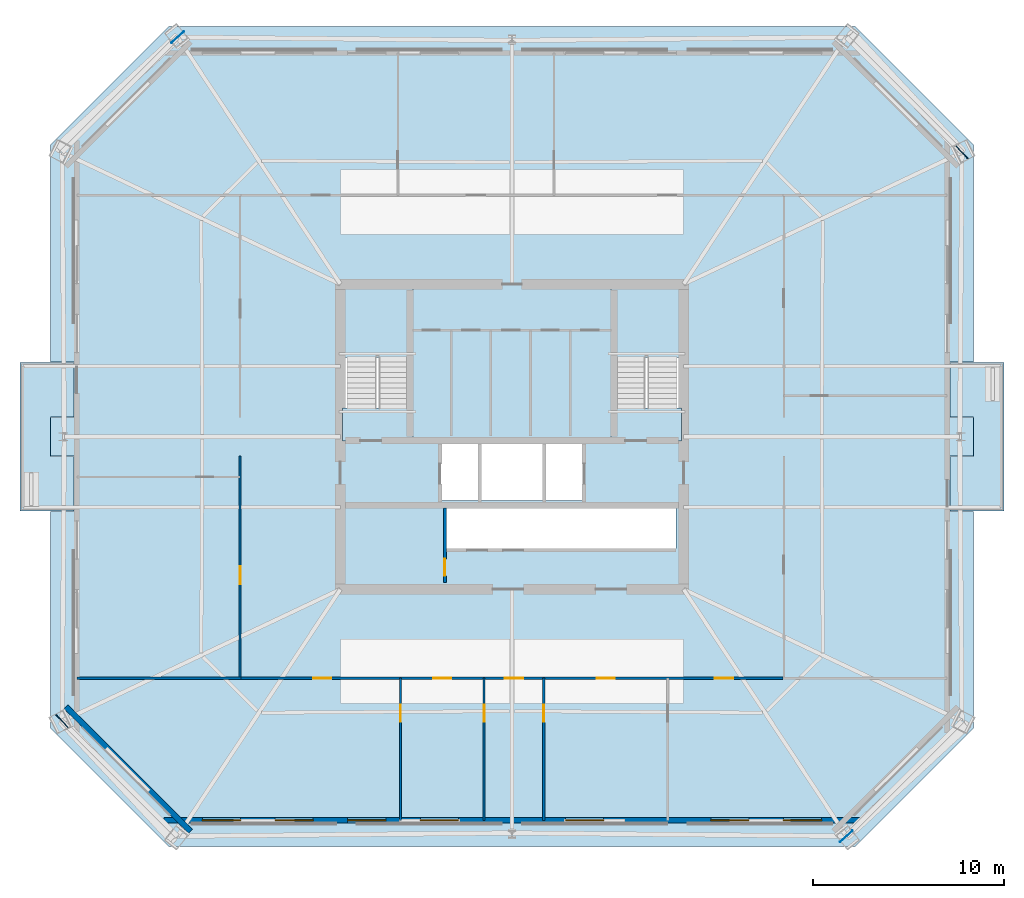
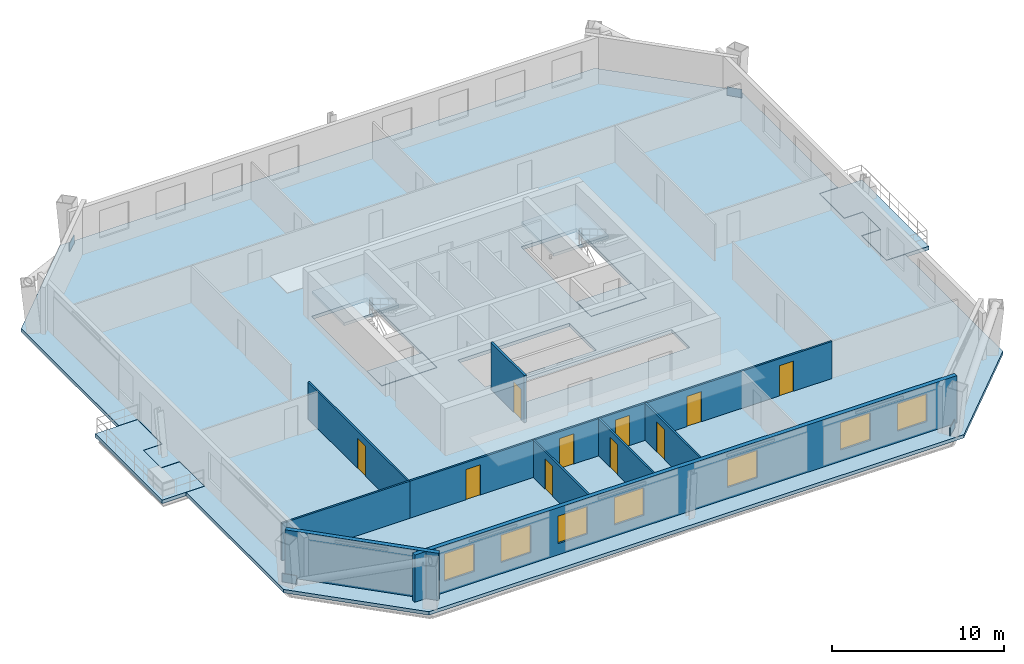
# One storey, part 2 of 8: 10 doors, 9 walls, 7 slabs, 7 windows, 4 plates, 17 openings, 2 elements without a shape of their own.
"""IFC4 building model written with IfcOpenShell, lengths in metres."""

import ifcopenshell
import ifcopenshell.guid

model = None  # the IFC model being written
_history = None  # IfcOwnerHistory: only IFC2X3 demands one
_inside = {}  # id of a spatial element -> (the spatial element, [elements in it])
_under = {}  # id of a project, library or spatial element -> (it, [spatial elements below it])
_declared = {}  # id of a project -> (the project, [libraries it declares])
_typed = {}  # id of a type object -> (the type object, [elements of that type])
_made_of = {}  # id of a material, layer set ... -> (it, [elements and type objects made of it])


def new_model(schema):
    """Start an empty IFC model of exactly this schema.

    Asked for "IFC4X3", IfcOpenShell would pick the latest addendum, in which some entities
    have other attributes; the version numbers below select the first issue.
    IFC2X3 requires an IfcOwnerHistory on every rooted entity: one is made here for all.
    """
    global model, _history
    if schema == "IFC4X3":
        model = ifcopenshell.file(schema_version=(4, 3, 0, 0))
    else:
        model = ifcopenshell.file(schema=schema)
    _inside.clear()
    _under.clear()
    _declared.clear()
    _typed.clear()
    _made_of.clear()
    _history = None
    if model.schema == "IFC2X3":
        org = make("IfcOrganization", Name="unknown")
        user = make(
            "IfcPersonAndOrganization",
            ThePerson=make("IfcPerson", FamilyName="unknown"),
            TheOrganization=org,
        )
        app = make(
            "IfcApplication",
            ApplicationDeveloper=org,
            Version="unknown",
            ApplicationFullName="unknown",
            ApplicationIdentifier="unknown",
        )
        _history = make(
            "IfcOwnerHistory",
            OwningUser=user,
            OwningApplication=app,
            ChangeAction="ADDED",
            CreationDate=0,
        )
    return model


def make(cls, **values):
    """One entity of the class cls with the attributes given. An attribute that is None is left unset."""
    return model.create_entity(
        cls, **{name: value for name, value in values.items() if value is not None}
    )


def rooted(cls, **values):
    """An entity with a GlobalId (a new one), such as an element, a storey or a relation."""
    return make(cls, GlobalId=ifcopenshell.guid.new(), OwnerHistory=_history, **values)


def si_unit(unit_type, name, prefix=None):
    """IfcSIUnit, for example si_unit("LENGTHUNIT", "METRE", prefix="MILLI")."""
    return make("IfcSIUnit", UnitType=unit_type, Prefix=prefix, Name=name)


def assignment(units):
    """IfcUnitAssignment: the units of a project."""
    return None if units is None else make("IfcUnitAssignment", Units=units)


def point(xyz):
    """IfcCartesianPoint."""
    return None if xyz is None else make("IfcCartesianPoint", Coordinates=xyz)


def direction(xyz):
    """IfcDirection."""
    return None if xyz is None else make("IfcDirection", DirectionRatios=xyz)


def frame(location, z_axis=None, x_axis=None):
    """IfcAxis2Placement3D, a coordinate frame: its origin and axes. An axis left out is left unset."""
    return make(
        "IfcAxis2Placement3D",
        Location=point(location),
        Axis=direction(z_axis),
        RefDirection=direction(x_axis),
    )


def frame_2d(location, x_axis=None):
    """IfcAxis2Placement2D, a coordinate frame in the plane: its origin and x axis."""
    return make(
        "IfcAxis2Placement2D", Location=point(location), RefDirection=direction(x_axis)
    )


def origin():
    """The frame at (0, 0, 0) with its axes left unset."""
    return frame((0.0, 0.0, 0.0))


def origin_2d():
    """The frame at (0, 0) in the plane with its x axis left unset."""
    return frame_2d((0.0, 0.0))


def place(relative_to, where):
    """IfcLocalPlacement: puts the frame where relative to a parent placement (None: the world)."""
    return make(
        "IfcLocalPlacement", PlacementRelTo=relative_to, RelativePlacement=where
    )


def context(
    kind, dimensions, precision=None, world=None, true_north=None, identifier=None
):
    """IfcGeometricRepresentationContext, for example the 3D "Model" context."""
    return make(
        "IfcGeometricRepresentationContext",
        ContextIdentifier=identifier,
        ContextType=kind,
        CoordinateSpaceDimension=dimensions,
        Precision=precision,
        WorldCoordinateSystem=world,
        TrueNorth=true_north,
    )


def subcontext(parent, identifier, kind, view, scale=None):
    """IfcGeometricRepresentationSubContext, for example "Body" below "Model"."""
    return make(
        "IfcGeometricRepresentationSubContext",
        ContextIdentifier=identifier,
        ContextType=kind,
        ParentContext=parent,
        TargetScale=scale,
        TargetView=view,
    )


def project(units=None, contexts=None):
    """IfcProject with its units and contexts."""
    return rooted(
        "IfcProject",
        Name="project",
        RepresentationContexts=contexts,
        UnitsInContext=assignment(units),
    )


def spatial(cls, under=None, at=None, **own):
    """A site, building, storey or space (cls), placed at a placement, below another one or the project."""
    s = rooted(cls, ObjectPlacement=at, **own)
    if under is not None:
        _under.setdefault(under.id(), (under, []))[1].append(s)
    return s


def polyline(points):
    """IfcPolyline through the points."""
    return make("IfcPolyline", Points=[point(p) for p in points])


def profile(cls, at=None, kind="AREA", **sizes):
    """A parametric profile (cls). Its sizes go by their IFC names, for example OverallWidth=200.0."""
    return make(cls, ProfileType=kind, Position=at, **sizes)


def rectangle(**sizes):
    """IfcRectangleProfileDef."""
    return profile("IfcRectangleProfileDef", **sizes)


def outline(outer, holes=None, kind="AREA"):
    """IfcArbitraryClosedProfileDef: a profile drawn as a closed curve; with holes, ...WithVoids."""
    if holes is None:
        return make("IfcArbitraryClosedProfileDef", ProfileType=kind, OuterCurve=outer)
    return make(
        "IfcArbitraryProfileDefWithVoids",
        ProfileType=kind,
        OuterCurve=outer,
        InnerCurves=holes,
    )


def extrude(swept, where, along, depth):
    """IfcExtrudedAreaSolid: the profile swept, set in the frame where, extruded along a direction by depth."""
    return make(
        "IfcExtrudedAreaSolid",
        SweptArea=swept,
        Position=where,
        ExtrudedDirection=direction(along),
        Depth=depth,
    )


def shape(context_of_items, identifier, shape_type, items):
    """IfcShapeRepresentation: the items that make up one representation, for example the "Body"."""
    return make(
        "IfcShapeRepresentation",
        ContextOfItems=context_of_items,
        RepresentationIdentifier=identifier,
        RepresentationType=shape_type,
        Items=items,
    )


def material(Name=None, Category=None):
    """IfcMaterial."""
    return make("IfcMaterial", Name=Name, Category=Category)


def layer(
    of_material, thickness, ventilated=None, Name=None, Category=None, Priority=None
):
    """IfcMaterialLayer: one layer of a wall or slab, of a material (None: an air gap)."""
    return make(
        "IfcMaterialLayer",
        Material=of_material,
        LayerThickness=thickness,
        IsVentilated=ventilated,
        Name=Name,
        Category=Category,
        Priority=Priority,
    )


def layer_set(layers, Name=None):
    """IfcMaterialLayerSet."""
    return make("IfcMaterialLayerSet", MaterialLayers=layers, LayerSetName=Name)


def made_of(thing, what):
    """Note that an element or type object is made of a material, layer set ...; save() writes the relation."""
    if what is not None:
        _made_of.setdefault(what.id(), (what, []))[1].append(thing)
    return thing


def type_object(cls, material=None, **own):
    """A type object (cls), such as IfcWallType, which elements share."""
    return made_of(rooted(cls, **own), material)


def element(
    cls,
    number,
    at=None,
    inside=None,
    cuts=None,
    type_object=None,
    material=None,
    context=None,
    identifier="Body",
    shape_type=None,
    held_by="IfcProductDefinitionShape",
    body=None,
    shapes=None,
    **own,
):
    """One element of the class cls, such as IfcWall. Its Tag is "e" and its number.

    at: its placement. inside: the storey or other place that contains it. cuts: it is an
    opening in that element (IfcRelVoidsElement). A single representation is given by context,
    identifier, shape_type and body (its items); several are given by shapes. held_by: the class
    of the entity that holds the representations. save() writes the other relations.
    """
    e = rooted(cls, Tag="e%d" % number, ObjectPlacement=at, **own)
    if body is not None:
        shapes = [shape(context, identifier, shape_type, body)]
    if shapes is not None:
        e.Representation = make(held_by, Representations=shapes)
    if inside is not None:
        _inside.setdefault(inside.id(), (inside, []))[1].append(e)
    if cuts is not None:
        rooted(
            "IfcRelVoidsElement", RelatingBuildingElement=cuts, RelatedOpeningElement=e
        )
    if type_object is not None:
        _typed.setdefault(type_object.id(), (type_object, []))[1].append(e)
    return made_of(e, material)


def fill(opening, filler):
    """IfcRelFillsElement: the door or window that sits in an opening."""
    return rooted(
        "IfcRelFillsElement",
        RelatingOpeningElement=opening,
        RelatedBuildingElement=filler,
    )


def aggregate(whole, parts):
    """IfcRelAggregates: a whole, such as a stair, and the parts it consists of."""
    return rooted("IfcRelAggregates", RelatingObject=whole, RelatedObjects=parts)


def save(model, path):
    """Write the relations noted so far, then the file.

    IfcRelAggregates (storeys below a building ...), IfcRelContainedInSpatialStructure (elements
    in a storey), IfcRelDefinesByType, IfcRelAssociatesMaterial and IfcRelDeclares: one each for
    every whole, place, type object, material and project.
    """
    for whole, parts in _under.values():
        aggregate(whole, parts)
    for where, things in _inside.values():
        rooted(
            "IfcRelContainedInSpatialStructure",
            RelatedElements=things,
            RelatingStructure=where,
        )
    for kind, things in _typed.values():
        rooted("IfcRelDefinesByType", RelatedObjects=things, RelatingType=kind)
    for what, things in _made_of.values():
        rooted("IfcRelAssociatesMaterial", RelatedObjects=things, RelatingMaterial=what)
    for by, libraries in _declared.values():
        rooted("IfcRelDeclares", RelatingContext=by, RelatedDefinitions=libraries)
    model.write(path)


model = new_model("IFC4")

# Units and contexts
model_context = context("Model", 3, precision=1e-05, world=origin(), true_north=direction((0.0, 1.0)))
body_context = subcontext(model_context, "Body", "Model", "MODEL_VIEW")
ifc_project = project(units=[si_unit("LENGTHUNIT", "METRE"), si_unit("AREAUNIT", "SQUARE_METRE"), si_unit("VOLUMEUNIT", "CUBIC_METRE"), si_unit("PLANEANGLEUNIT", "RADIAN"), si_unit("MASSUNIT", "GRAM", prefix="KILO")], contexts=[model_context])

# Site, building, storey
site_placement = place(None, origin())
site = spatial("IfcSite", under=ifc_project, at=site_placement, CompositionType="ELEMENT")
building_placement = place(site_placement, origin())
building = spatial("IfcBuilding", under=site, at=building_placement, Name="Caelvoria Tower", CompositionType="ELEMENT")
storey_placement = place(building_placement, frame((0.0, 0.0, 145.60009765625)))
storey = spatial("IfcBuildingStorey", under=building, at=storey_placement, Name="L38", CompositionType="ELEMENT", Elevation=145.60009765625)

# Plates
ifc_material_1 = material(Name="Structural Steel ASTM A572 Gr.50", Category="steel")
ifc_layer_1 = layer(ifc_material_1, 0.0400390625, Name="Structural Steel ASTM A572 Gr.50")
ifc_layer_set_1 = layer_set([ifc_layer_1], Name="Megaframe Node Gusset Plate 900x600x40 - Structural Steel ASTM A572 Gr.50")
plate_type = type_object("IfcPlateType", Name="Megaframe Node Gusset Plate 900x600x40", PredefinedType="USERDEFINED", material=ifc_layer_set_1)
for number, where, z_axis, x_axis, name in (
    (1, (63.537841796875, 11.052001953125, 0.019775390625), (0.0, 0.0, 1.0), (0.733795082805, 0.67937086812, 0.0), "Chamfer Mega Brace Gusset L38 SE"),
    (2, (69.59130859375, 46.915283203125, 0.019775390625), (0.0, 0.0, 1.0), (-0.681679181899, 0.731651209912, 0.0), "Chamfer Mega Brace Gusset L38 NE"),
    (3, (28.462158203125, 52.947998046875, 0.019775390625), (0.0, 0.0, 1.0), (-0.733795082805, -0.67937086812, 0.0), "Chamfer Mega Brace Gusset L38 NW"),
    (4, (22.40869140625, 17.084716796875, 0.019775390625), (0.0, 0.0, 1.0), (0.681679181899, -0.731651209912, 0.0), "Chamfer Mega Brace Gusset L38 SW"),
):
    element("IfcPlate", number, at=place(storey_placement, frame(where, z_axis=z_axis, x_axis=x_axis)), inside=storey, type_object=plate_type, Name=name, ObjectType="GUSSET_PLATE", PredefinedType="USERDEFINED", context=body_context, shape_type="SweptSolid", body=[
        extrude(rectangle(XDim=0.89990234375, YDim=0.0400390625, at=origin_2d()), origin(), (0.0, 0.0, 1.0), 0.60009765625),
    ])

# Stair, slabs
ifc_material_2 = material(Name="Concrete C40/50", Category="concrete")
stair_type = type_object("IfcStairType", Name="Core Smokeproof Dogleg Stair Concrete C40/50", PredefinedType="HALF_TURN_STAIR", material=ifc_material_2)
stair_1_placement = place(storey_placement, origin())
stair_1 = element("IfcStair", 5, at=stair_1_placement, inside=storey, type_object=stair_type, Name="ST-01 Smokeproof Exit Stair L38", PredefinedType="HALF_TURN_STAIR")
ifc_layer_2 = layer(ifc_material_2, 0.199951171875, Name="Concrete C40/50")
ifc_layer_set_2 = layer_set([ifc_layer_2], Name="Stair Half and Floor Landing Slab 200 Concrete C40/50 - Concrete C40/50")
slab_type_1 = type_object("IfcSlabType", Name="Stair Half and Floor Landing Slab 200 Concrete C40/50", PredefinedType="LANDING", material=ifc_layer_set_2)
slab_1_placement = place(storey_placement, frame((0.0, 0.0, -0.2001953125)))
slab_1 = element("IfcSlab", 6, at=slab_1_placement, type_object=slab_type_1, Name="ST-01 landing 1", PredefinedType="LANDING", context=body_context, shape_type="SweptSolid", body=[
    extrude(outline(polyline([(37.10009765625, 31.77001953125), (40.800048828125, 31.77001953125), (40.800048828125, 33.5), (37.10009765625, 33.5), (37.10009765625, 31.77001953125)])), origin(), (0.0, 0.0, 1.0), 0.2001953125),
])
slab_2_placement = place(storey_placement, frame((0.0, 0.0, 1.599853515625)))
slab_2 = element("IfcSlab", 7, at=slab_2_placement, type_object=slab_type_1, Name="ST-01 landing 2", PredefinedType="LANDING", context=body_context, shape_type="SweptSolid", body=[
    extrude(outline(polyline([(37.10009765625, 36.14990234375), (40.800048828125, 36.14990234375), (40.800048828125, 39.89990234375), (37.10009765625, 39.89990234375), (37.10009765625, 36.14990234375)])), origin(), (0.0, 0.0, 1.0), 0.199951171875),
])
aggregate(stair_1, [slab_1, slab_2])

stair_2_placement = place(storey_placement, origin())
stair_2 = element("IfcStair", 8, at=stair_2_placement, inside=storey, type_object=stair_type, Name="ST-02 Smokeproof Exit Stair L38", PredefinedType="HALF_TURN_STAIR")
slab_3_placement = place(storey_placement, frame((0.0, 0.0, -0.2001953125)))
slab_3 = element("IfcSlab", 9, at=slab_3_placement, type_object=slab_type_1, Name="ST-02 landing 1", PredefinedType="LANDING", context=body_context, shape_type="SweptSolid", body=[
    extrude(outline(polyline([(51.199951171875, 31.77001953125), (54.89990234375, 31.77001953125), (54.89990234375, 33.5), (51.199951171875, 33.5), (51.199951171875, 31.77001953125)])), origin(), (0.0, 0.0, 1.0), 0.2001953125),
])
slab_4_placement = place(storey_placement, frame((0.0, 0.0, 1.599853515625)))
slab_4 = element("IfcSlab", 10, at=slab_4_placement, type_object=slab_type_1, Name="ST-02 landing 2", PredefinedType="LANDING", context=body_context, shape_type="SweptSolid", body=[
    extrude(outline(polyline([(51.199951171875, 36.14990234375), (54.89990234375, 36.14990234375), (54.89990234375, 39.89990234375), (51.199951171875, 39.89990234375), (51.199951171875, 36.14990234375)])), origin(), (0.0, 0.0, 1.0), 0.199951171875),
])
aggregate(stair_2, [slab_3, slab_4])

# Slabs
ifc_layer_3 = layer(ifc_material_2, 0.239990234375, Name="Concrete C40/50")
ifc_layer_set_3 = layer_set([ifc_layer_3], Name="Tower Composite Office Slab 240 - Concrete C40/50")
slab_type_2 = type_object("IfcSlabType", Name="Tower Composite Office Slab 240", PredefinedType="FLOOR", material=ifc_layer_set_3)
slab_5_placement = place(storey_placement, frame((0.0, 0.0, -0.239990234375)))
element("IfcSlab", 11, at=slab_5_placement, inside=storey, type_object=slab_type_2, Name="Level L38 Structural Floor Slab", PredefinedType="FLOOR", context=body_context, shape_type="SweptSolid", body=[
    extrude(outline(polyline([(64.0, 53.5), (28.0, 53.5), (21.800048828125, 47.300048828125), (21.800048828125, 35.919921875), (23.06005859375, 35.919921875), (23.06005859375, 33.02001953125), (21.800048828125, 33.02001953125), (21.800048828125, 30.97998046875), (23.06005859375, 30.97998046875), (23.06005859375, 28.080078125), (21.800048828125, 28.080078125), (21.800048828125, 16.699951171875), (28.0, 10.5), (64.0, 10.5), (70.199951171875, 16.699951171875), (70.199951171875, 28.080078125), (68.93994140625, 28.080078125), (68.93994140625, 30.97998046875), (70.199951171875, 30.97998046875), (70.199951171875, 33.02001953125), (68.93994140625, 33.02001953125), (68.93994140625, 35.919921875), (70.199951171875, 35.919921875), (70.199951171875, 47.300048828125), (64.0, 53.5)]), holes=[polyline([(37.080078125, 31.75), (40.820068359375, 31.75), (40.820068359375, 39.919921875), (37.080078125, 39.919921875), (37.080078125, 31.75)]), polyline([(51.179931640625, 31.75), (54.919921875, 31.75), (54.919921875, 39.919921875), (51.179931640625, 39.919921875), (51.179931640625, 31.75)]), polyline([(42.25, 28.64990234375), (49.75, 28.64990234375), (49.75, 31.800048828125), (42.25, 31.800048828125), (42.25, 28.64990234375)]), polyline([(42.550048828125, 26.14990234375), (54.60009765625, 26.14990234375), (54.60009765625, 28.25), (42.550048828125, 28.25), (42.550048828125, 26.14990234375)])]), origin(), (0.0, 0.0, 1.0), 0.239990234375),
])
ifc_material_3 = material(Name="Concrete C45/55", Category="concrete")
ifc_layer_4 = layer(ifc_material_3, 0.25, Name="Concrete C45/55")
ifc_layer_set_4 = layer_set([ifc_layer_4], Name="Tree Balcony Structural Planter Slab 250 - Concrete C45/55")
slab_type_3 = type_object("IfcSlabType", Name="Tree Balcony Structural Planter Slab 250", PredefinedType="FLOOR", material=ifc_layer_set_4)
slab_6_placement = place(storey_placement, frame((0.0, 0.0, -0.25)))
element("IfcSlab", 12, at=slab_6_placement, inside=storey, type_object=slab_type_3, Name="Tree Balcony Slab TB-L38-W", PredefinedType="FLOOR", context=body_context, shape_type="SweptSolid", body=[
    extrude(outline(polyline([(20.199951171875, 28.10009765625), (21.800048828125, 28.10009765625), (23.0400390625, 28.10009765625), (23.0400390625, 30.9599609375), (21.800048828125, 30.9599609375), (21.800048828125, 33.0400390625), (23.0400390625, 33.0400390625), (23.0400390625, 35.89990234375), (21.800048828125, 35.89990234375), (20.199951171875, 35.89990234375), (20.199951171875, 28.10009765625)])), origin(), (0.0, 0.0, 1.0), 0.25),
])
slab_7_placement = place(storey_placement, frame((0.0, 0.0, -0.25)))
element("IfcSlab", 13, at=slab_7_placement, inside=storey, type_object=slab_type_3, Name="Tree Balcony Slab TB-L38-E", PredefinedType="FLOOR", context=body_context, shape_type="SweptSolid", body=[
    extrude(outline(polyline([(70.199951171875, 35.89990234375), (68.9599609375, 35.89990234375), (68.9599609375, 33.0400390625), (70.199951171875, 33.0400390625), (70.199951171875, 30.9599609375), (68.9599609375, 30.9599609375), (68.9599609375, 28.10009765625), (70.199951171875, 28.10009765625), (71.800048828125, 28.10009765625), (71.800048828125, 35.89990234375), (70.199951171875, 35.89990234375)])), origin(), (0.0, 0.0, 1.0), 0.25),
])

# Wall, opening, door
ifc_material_4 = material(Name="Double Gypsum Board on Steel Stud", Category="steel")
ifc_layer_5 = layer(ifc_material_4, 0.14990234375, Name="Double Gypsum Board on Steel Stud")
ifc_layer_set_5 = layer_set([ifc_layer_5], Name="Core Service Acoustic Partition Wall 150 - Double Gypsum Board on Steel Stud")
wall_type_1 = type_object("IfcWallType", Name="Core Service Acoustic Partition Wall 150", PredefinedType="PARTITIONING", material=ifc_layer_set_5)
wall_1_placement = place(storey_placement, frame((42.47998046875, 24.35009765625, 0.0), z_axis=(0.0, 0.0, 1.0), x_axis=(0.0, 1.0, 0.0)))
wall_1 = element("IfcWall", 14, at=wall_1_placement, inside=storey, type_object=wall_type_1, Name="Interior Partition IW-L38-RECL1E", PredefinedType="PARTITIONING", context=body_context, shape_type="SweptSolid", body=[
    extrude(rectangle(XDim=3.89990234375, YDim=0.14990234375, at=frame_2d((1.949951171875, 0.0))), origin(), (0.0, 0.0, 1.0), 3.35986328125),
])
opening_1_placement = place(wall_1_placement, frame((0.35009765625, 0.0, 0.0)))
opening_1 = element("IfcOpeningElement", 15, at=opening_1_placement, cuts=wall_1, Name="Opening ID-04", PredefinedType="OPENING", context=body_context, shape_type="SweptSolid", body=[
    extrude(rectangle(XDim=0.89990234375, YDim=2.14990234375, at=frame_2d((0.449951171875, 1.074951171875))), frame((0.0, 0.0849609375, 0.0), z_axis=(0.0, -1.0, 0.0), x_axis=(1.0, 0.0, 0.0)), (0.0, 0.0, 1.0), 0.169921875),
])
ifc_material_5 = material(Name="Acoustic Timber Fire Door", Category="wood")
door_type_1 = type_object("IfcDoorType", Name="Fire Door FD30S 900x2150", OperationType="NOTDEFINED", PredefinedType="DOOR", material=ifc_material_5)
door_1_placement = place(opening_1_placement, origin())
door_1 = element("IfcDoor", 16, at=door_1_placement, inside=storey, type_object=door_type_1, Name="Interior Door DR-L38-RECL1", OperationType="SINGLE_SWING_LEFT", OverallHeight=2.14990234375, OverallWidth=0.89990234375, PredefinedType="DOOR", context=body_context, shape_type="SweptSolid", body=[
    extrude(rectangle(XDim=0.89990234375, YDim=2.14990234375, at=frame_2d((0.449951171875, 1.074951171875))), frame((0.0, 0.02490234375, 0.0), z_axis=(0.0, -1.0, 0.0), x_axis=(1.0, 0.0, 0.0)), (0.0, 0.0, 1.0), 0.050048828125),
])
fill(opening_1, door_1)

# Wall, openings, windows
ifc_material_6 = material(Name="Precast Concrete C40/50 with Bronze Cladding", Category="concrete")
ifc_layer_6 = layer(ifc_material_6, 0.280029296875, Name="Precast Concrete C40/50 with Bronze Cladding")
ifc_layer_set_6 = layer_set([ifc_layer_6], Name="Exterior Precast Concrete C40/50 Bronze-Clad Facade Wall 280 - Precast Concrete C40/50 with Bronze Cladding")
wall_type_2 = type_object("IfcWallType", Name="Exterior Precast Concrete C40/50 Bronze-Clad Facade Wall 280", PredefinedType="STANDARD", material=ifc_layer_set_6)
wall_2_placement = place(storey_placement, frame((27.760009765625, 11.8798828125, 0.0), z_axis=(0.0, 0.0, 1.0), x_axis=(1.0, 0.0, 0.0)))
wall_2 = element("IfcWall", 17, at=wall_2_placement, inside=storey, type_object=wall_type_2, Name="Exterior Facade Wall L38-E0", PredefinedType="STANDARD", context=body_context, shape_type="SweptSolid", body=[
    extrude(rectangle(XDim=36.47998046875, YDim=0.280029296875, at=frame_2d((18.239990234375, 0.0))), origin(), (0.0, 0.0, 1.0), 3.35986328125),
])
opening_2_placement = place(wall_2_placement, frame((2.00439453125, 0.0, 0.800048828125)))
opening_2 = element("IfcOpeningElement", 18, at=opening_2_placement, cuts=wall_2, Name="Opening WN-01", PredefinedType="OPENING", context=body_context, shape_type="SweptSolid", body=[
    extrude(rectangle(XDim=2.0, YDim=1.949951171875, at=frame_2d((1.0, 0.97509765625))), frame((0.0, 0.14990234375, 0.0), z_axis=(0.0, -1.0, 0.0), x_axis=(1.0, 0.0, 0.0)), (0.0, 0.0, 1.0), 0.300048828125),
])
opening_3_placement = place(wall_2_placement, frame((5.813232421875, 0.0, 0.800048828125)))
opening_3 = element("IfcOpeningElement", 19, at=opening_3_placement, cuts=wall_2, Name="Opening WN-01", PredefinedType="OPENING", context=body_context, shape_type="SweptSolid", body=[
    extrude(rectangle(XDim=2.0, YDim=1.949951171875, at=frame_2d((1.0, 0.97509765625))), frame((0.0, 0.14990234375, 0.0), z_axis=(0.0, -1.0, 0.0), x_axis=(1.0, 0.0, 0.0)), (0.0, 0.0, 1.0), 0.300048828125),
])
opening_4_placement = place(wall_2_placement, frame((9.622314453125, 0.0, 0.800048828125)))
opening_4 = element("IfcOpeningElement", 20, at=opening_4_placement, cuts=wall_2, Name="Opening WN-01", PredefinedType="OPENING", context=body_context, shape_type="SweptSolid", body=[
    extrude(rectangle(XDim=2.0, YDim=1.949951171875, at=frame_2d((1.0, 0.97509765625))), frame((0.0, 0.14990234375, 0.0), z_axis=(0.0, -1.0, 0.0), x_axis=(1.0, 0.0, 0.0)), (0.0, 0.0, 1.0), 0.300048828125),
])
opening_5_placement = place(wall_2_placement, frame((13.43115234375, 0.0, 0.800048828125)))
opening_5 = element("IfcOpeningElement", 21, at=opening_5_placement, cuts=wall_2, Name="Opening WN-01", PredefinedType="OPENING", context=body_context, shape_type="SweptSolid", body=[
    extrude(rectangle(XDim=2.0, YDim=1.949951171875, at=frame_2d((1.0, 0.97509765625))), frame((0.0, 0.14990234375, 0.0), z_axis=(0.0, -1.0, 0.0), x_axis=(1.0, 0.0, 0.0)), (0.0, 0.0, 1.0), 0.300048828125),
])
opening_6_placement = place(wall_2_placement, frame((21.048828125, 0.0, 0.800048828125)))
opening_6 = element("IfcOpeningElement", 22, at=opening_6_placement, cuts=wall_2, Name="Opening WN-01", PredefinedType="OPENING", context=body_context, shape_type="SweptSolid", body=[
    extrude(rectangle(XDim=2.0, YDim=1.949951171875, at=frame_2d((1.0, 0.97509765625))), frame((0.0, 0.14990234375, 0.0), z_axis=(0.0, -1.0, 0.0), x_axis=(1.0, 0.0, 0.0)), (0.0, 0.0, 1.0), 0.300048828125),
])
opening_7_placement = place(wall_2_placement, frame((28.666748046875, 0.0, 0.800048828125)))
opening_7 = element("IfcOpeningElement", 23, at=opening_7_placement, cuts=wall_2, Name="Opening WN-01", PredefinedType="OPENING", context=body_context, shape_type="SweptSolid", body=[
    extrude(rectangle(XDim=2.0, YDim=1.949951171875, at=frame_2d((1.0, 0.97509765625))), frame((0.0, 0.14990234375, 0.0), z_axis=(0.0, -1.0, 0.0), x_axis=(1.0, 0.0, 0.0)), (0.0, 0.0, 1.0), 0.300048828125),
])
opening_8_placement = place(wall_2_placement, frame((32.4755859375, 0.0, 0.800048828125)))
opening_8 = element("IfcOpeningElement", 24, at=opening_8_placement, cuts=wall_2, Name="Opening WN-01", PredefinedType="OPENING", context=body_context, shape_type="SweptSolid", body=[
    extrude(rectangle(XDim=2.0, YDim=1.949951171875, at=frame_2d((1.0, 0.97509765625))), frame((0.0, 0.14990234375, 0.0), z_axis=(0.0, -1.0, 0.0), x_axis=(1.0, 0.0, 0.0)), (0.0, 0.0, 1.0), 0.300048828125),
])
ifc_material_7 = material(Name="Low-E Tinted Glass in Bronze Aluminium Frame", Category="aluminium")
window_type = type_object("IfcWindowType", Name="Tower Office Vision Window 2000x1950", PartitioningType="SINGLE_PANEL", PredefinedType="WINDOW", material=ifc_material_7)
window_1_placement = place(opening_2_placement, origin())
window_1 = element("IfcWindow", 25, at=window_1_placement, inside=storey, type_object=window_type, Name="Facade Window L38-E0-00", OverallHeight=1.949951171875, OverallWidth=2.0, PartitioningType="SINGLE_PANEL", PredefinedType="WINDOW", context=body_context, shape_type="SweptSolid", body=[
    extrude(rectangle(XDim=2.0, YDim=1.949951171875, at=frame_2d((1.0, 0.97509765625))), frame((0.0, 0.030029296875, 0.0), z_axis=(0.0, -1.0, 0.0), x_axis=(1.0, 0.0, 0.0)), (0.0, 0.0, 1.0), 0.06005859375),
])
fill(opening_2, window_1)
window_2_placement = place(opening_3_placement, origin())
window_2 = element("IfcWindow", 26, at=window_2_placement, inside=storey, type_object=window_type, Name="Facade Window L38-E0-01", OverallHeight=1.949951171875, OverallWidth=2.0, PartitioningType="SINGLE_PANEL", PredefinedType="WINDOW", context=body_context, shape_type="SweptSolid", body=[
    extrude(rectangle(XDim=2.0, YDim=1.949951171875, at=frame_2d((1.0, 0.97509765625))), frame((0.0, 0.030029296875, 0.0), z_axis=(0.0, -1.0, 0.0), x_axis=(1.0, 0.0, 0.0)), (0.0, 0.0, 1.0), 0.06005859375),
])
fill(opening_3, window_2)
window_3_placement = place(opening_4_placement, origin())
window_3 = element("IfcWindow", 27, at=window_3_placement, inside=storey, type_object=window_type, Name="Facade Window L38-E0-02", OverallHeight=1.949951171875, OverallWidth=2.0, PartitioningType="SINGLE_PANEL", PredefinedType="WINDOW", context=body_context, shape_type="SweptSolid", body=[
    extrude(rectangle(XDim=2.0, YDim=1.949951171875, at=frame_2d((1.0, 0.97509765625))), frame((0.0, 0.030029296875, 0.0), z_axis=(0.0, -1.0, 0.0), x_axis=(1.0, 0.0, 0.0)), (0.0, 0.0, 1.0), 0.06005859375),
])
fill(opening_4, window_3)
window_4_placement = place(opening_5_placement, origin())
window_4 = element("IfcWindow", 28, at=window_4_placement, inside=storey, type_object=window_type, Name="Facade Window L38-E0-03", OverallHeight=1.949951171875, OverallWidth=2.0, PartitioningType="SINGLE_PANEL", PredefinedType="WINDOW", context=body_context, shape_type="SweptSolid", body=[
    extrude(rectangle(XDim=2.0, YDim=1.949951171875, at=frame_2d((1.0, 0.97509765625))), frame((0.0, 0.030029296875, 0.0), z_axis=(0.0, -1.0, 0.0), x_axis=(1.0, 0.0, 0.0)), (0.0, 0.0, 1.0), 0.06005859375),
])
fill(opening_5, window_4)
window_5_placement = place(opening_6_placement, origin())
window_5 = element("IfcWindow", 29, at=window_5_placement, inside=storey, type_object=window_type, Name="Facade Window L38-E0-05", OverallHeight=1.949951171875, OverallWidth=2.0, PartitioningType="SINGLE_PANEL", PredefinedType="WINDOW", context=body_context, shape_type="SweptSolid", body=[
    extrude(rectangle(XDim=2.0, YDim=1.949951171875, at=frame_2d((1.0, 0.97509765625))), frame((0.0, 0.030029296875, 0.0), z_axis=(0.0, -1.0, 0.0), x_axis=(1.0, 0.0, 0.0)), (0.0, 0.0, 1.0), 0.06005859375),
])
fill(opening_6, window_5)
window_6_placement = place(opening_7_placement, origin())
window_6 = element("IfcWindow", 30, at=window_6_placement, inside=storey, type_object=window_type, Name="Facade Window L38-E0-07", OverallHeight=1.949951171875, OverallWidth=2.0, PartitioningType="SINGLE_PANEL", PredefinedType="WINDOW", context=body_context, shape_type="SweptSolid", body=[
    extrude(rectangle(XDim=2.0, YDim=1.949951171875, at=frame_2d((1.0, 0.97509765625))), frame((0.0, 0.030029296875, 0.0), z_axis=(0.0, -1.0, 0.0), x_axis=(1.0, 0.0, 0.0)), (0.0, 0.0, 1.0), 0.06005859375),
])
fill(opening_7, window_6)
window_7_placement = place(opening_8_placement, origin())
window_7 = element("IfcWindow", 31, at=window_7_placement, inside=storey, type_object=window_type, Name="Facade Window L38-E0-08", OverallHeight=1.949951171875, OverallWidth=2.0, PartitioningType="SINGLE_PANEL", PredefinedType="WINDOW", context=body_context, shape_type="SweptSolid", body=[
    extrude(rectangle(XDim=2.0, YDim=1.949951171875, at=frame_2d((1.0, 0.97509765625))), frame((0.0, 0.030029296875, 0.0), z_axis=(0.0, -1.0, 0.0), x_axis=(1.0, 0.0, 0.0)), (0.0, 0.0, 1.0), 0.06005859375),
])
fill(opening_8, window_7)

# Wall
wall_3_placement = place(storey_placement, frame((22.606201171875, 17.845458984375, 0.0), z_axis=(0.0, 0.0, 1.0), x_axis=(0.707106781187, -0.707106781187, 0.0)))
element("IfcWall", 32, at=wall_3_placement, inside=storey, type_object=wall_type_2, Name="Exterior Facade Wall L38-E7", PredefinedType="STANDARD", context=body_context, shape_type="SweptSolid", body=[
    extrude(rectangle(XDim=9.248046875, YDim=0.280029296875, at=frame_2d((4.6240234375, 0.0))), origin(), (0.0, 0.0, 1.0), 3.35986328125),
])

# Wall, opening, door
ifc_material_8 = material(Name="Acoustic Gypsum Board on Light-Gauge Stud", Category="gypsum")
ifc_layer_7 = layer(ifc_material_8, 0.1201171875, Name="Acoustic Gypsum Board on Light-Gauge Stud")
ifc_layer_set_7 = layer_set([ifc_layer_7], Name="Tenant Suite Acoustic Partition Wall 120 - Acoustic Gypsum Board on Light-Gauge Stud")
wall_type_3 = type_object("IfcWallType", Name="Tenant Suite Acoustic Partition Wall 120", PredefinedType="PARTITIONING", material=ifc_layer_set_7)
wall_4_placement = place(storey_placement, frame((40.15234375, 19.340087890625, 0.0), z_axis=(0.0, 0.0, 1.0), x_axis=(0.0, -1.0, 0.0)))
wall_4 = element("IfcWall", 33, at=wall_4_placement, inside=storey, type_object=wall_type_3, Name="Interior Partition IW-L38-SD-00-0", PredefinedType="PARTITIONING", context=body_context, shape_type="SweptSolid", body=[
    extrude(rectangle(XDim=7.460205078125, YDim=0.1201171875, at=frame_2d((3.72998046875, 0.0))), origin(), (0.0, 0.0, 1.0), 2.639892578125),
])
opening_9_placement = place(wall_4_placement, frame((1.39990234375, 0.0, 0.0)))
opening_9 = element("IfcOpeningElement", 34, at=opening_9_placement, cuts=wall_4, Name="Opening ID-06", PredefinedType="OPENING", context=body_context, shape_type="SweptSolid", body=[
    extrude(rectangle(XDim=0.89990234375, YDim=2.14990234375, at=frame_2d((0.449951171875, 1.074951171875))), frame((0.0, 0.070068359375, 0.0), z_axis=(0.0, -1.0, 0.0), x_axis=(1.0, 0.0, 0.0)), (0.0, 0.0, 1.0), 0.14013671875),
])
ifc_material_9 = material(Name="Engineered Andean Oak Veneer Door", Category="wood")
door_type_2 = type_object("IfcDoorType", Name="Interior Timber Door 900x2150", OperationType="NOTDEFINED", PredefinedType="DOOR", material=ifc_material_9)
door_2_placement = place(opening_9_placement, origin())
door_2 = element("IfcDoor", 35, at=door_2_placement, inside=storey, type_object=door_type_2, Name="Interior Door DR-L38-SM-00-0", OperationType="SINGLE_SWING_RIGHT", OverallHeight=2.14990234375, OverallWidth=0.89990234375, PredefinedType="DOOR", context=body_context, shape_type="SweptSolid", body=[
    extrude(rectangle(XDim=0.89990234375, YDim=2.14990234375, at=frame_2d((0.449951171875, 1.074951171875))), frame((0.0, 0.02490234375, 0.0), z_axis=(0.0, -1.0, 0.0), x_axis=(1.0, 0.0, 0.0)), (0.0, 0.0, 1.0), 0.050048828125),
])
fill(opening_9, door_2)

wall_5_placement = place(storey_placement, frame((44.534423828125, 19.340087890625, 0.0), z_axis=(0.0, 0.0, 1.0), x_axis=(0.0, -1.0, 0.0)))
wall_5 = element("IfcWall", 36, at=wall_5_placement, inside=storey, type_object=wall_type_3, Name="Interior Partition IW-L38-SD-01-0", PredefinedType="PARTITIONING", context=body_context, shape_type="SweptSolid", body=[
    extrude(rectangle(XDim=7.460205078125, YDim=0.1201171875, at=frame_2d((3.72998046875, 0.0))), origin(), (0.0, 0.0, 1.0), 2.639892578125),
])
opening_10_placement = place(wall_5_placement, frame((1.39990234375, 0.0, 0.0)))
opening_10 = element("IfcOpeningElement", 37, at=opening_10_placement, cuts=wall_5, Name="Opening ID-06", PredefinedType="OPENING", context=body_context, shape_type="SweptSolid", body=[
    extrude(rectangle(XDim=0.89990234375, YDim=2.14990234375, at=frame_2d((0.449951171875, 1.074951171875))), frame((0.0, 0.070068359375, 0.0), z_axis=(0.0, -1.0, 0.0), x_axis=(1.0, 0.0, 0.0)), (0.0, 0.0, 1.0), 0.14013671875),
])
door_3_placement = place(opening_10_placement, origin())
door_3 = element("IfcDoor", 38, at=door_3_placement, inside=storey, type_object=door_type_2, Name="Interior Door DR-L38-SM-01-0", OperationType="SINGLE_SWING_LEFT", OverallHeight=2.14990234375, OverallWidth=0.89990234375, PredefinedType="DOOR", context=body_context, shape_type="SweptSolid", body=[
    extrude(rectangle(XDim=0.89990234375, YDim=2.14990234375, at=frame_2d((0.449951171875, 1.074951171875))), frame((0.0, 0.02490234375, 0.0), z_axis=(0.0, -1.0, 0.0), x_axis=(1.0, 0.0, 0.0)), (0.0, 0.0, 1.0), 0.050048828125),
])
fill(opening_10, door_3)

wall_6_placement = place(storey_placement, frame((47.6708984375, 19.340087890625, 0.0), z_axis=(0.0, 0.0, 1.0), x_axis=(0.0, -1.0, 0.0)))
wall_6 = element("IfcWall", 39, at=wall_6_placement, inside=storey, type_object=wall_type_3, Name="Interior Partition IW-L38-SD-02-0", PredefinedType="PARTITIONING", context=body_context, shape_type="SweptSolid", body=[
    extrude(rectangle(XDim=7.460205078125, YDim=0.1201171875, at=frame_2d((3.72998046875, 0.0))), origin(), (0.0, 0.0, 1.0), 2.639892578125),
])
opening_11_placement = place(wall_6_placement, frame((1.39990234375, 0.0, 0.0)))
opening_11 = element("IfcOpeningElement", 40, at=opening_11_placement, cuts=wall_6, Name="Opening ID-06", PredefinedType="OPENING", context=body_context, shape_type="SweptSolid", body=[
    extrude(rectangle(XDim=0.89990234375, YDim=2.14990234375, at=frame_2d((0.449951171875, 1.074951171875))), frame((0.0, 0.070068359375, 0.0), z_axis=(0.0, -1.0, 0.0), x_axis=(1.0, 0.0, 0.0)), (0.0, 0.0, 1.0), 0.14013671875),
])
door_4_placement = place(opening_11_placement, origin())
door_4 = element("IfcDoor", 41, at=door_4_placement, inside=storey, type_object=door_type_2, Name="Interior Door DR-L38-SM-02-0", OperationType="SINGLE_SWING_RIGHT", OverallHeight=2.14990234375, OverallWidth=0.89990234375, PredefinedType="DOOR", context=body_context, shape_type="SweptSolid", body=[
    extrude(rectangle(XDim=0.89990234375, YDim=2.14990234375, at=frame_2d((0.449951171875, 1.074951171875))), frame((0.0, 0.02490234375, 0.0), z_axis=(0.0, -1.0, 0.0), x_axis=(1.0, 0.0, 0.0)), (0.0, 0.0, 1.0), 0.050048828125),
])
fill(opening_11, door_4)

# Wall, openings, doors
wall_7_placement = place(storey_placement, frame((31.800048828125, 19.340087890625, 0.0), z_axis=(0.0, 0.0, 1.0), x_axis=(1.0, 0.0, 0.0)))
wall_7 = element("IfcWall", 42, at=wall_7_placement, inside=storey, type_object=wall_type_3, Name="Interior Partition IW-L38-SCW-0", PredefinedType="PARTITIONING", context=body_context, shape_type="SweptSolid", body=[
    extrude(rectangle(XDim=28.39990234375, YDim=0.1201171875, at=frame_2d((14.199951171875, 0.0))), origin(), (0.0, 0.0, 1.0), 2.639892578125),
])
opening_12_placement = place(wall_7_placement, frame((3.771240234375, 0.0, 0.0)))
opening_12 = element("IfcOpeningElement", 43, at=opening_12_placement, cuts=wall_7, Name="Opening ID-05", PredefinedType="OPENING", context=body_context, shape_type="SweptSolid", body=[
    extrude(rectangle(XDim=0.949951171875, YDim=2.14990234375, at=frame_2d((0.47509765625, 1.074951171875))), frame((0.0, 0.070068359375, 0.0), z_axis=(0.0, -1.0, 0.0), x_axis=(1.0, 0.0, 0.0)), (0.0, 0.0, 1.0), 0.14013671875),
])
opening_13_placement = place(wall_7_placement, frame((10.068359375, 0.0, 0.0)))
opening_13 = element("IfcOpeningElement", 44, at=opening_13_placement, cuts=wall_7, Name="Opening ID-05", PredefinedType="OPENING", context=body_context, shape_type="SweptSolid", body=[
    extrude(rectangle(XDim=0.949951171875, YDim=2.14990234375, at=frame_2d((0.47509765625, 1.074951171875))), frame((0.0, 0.070068359375, 0.0), z_axis=(0.0, -1.0, 0.0), x_axis=(1.0, 0.0, 0.0)), (0.0, 0.0, 1.0), 0.14013671875),
])
opening_14_placement = place(wall_7_placement, frame((13.82763671875, 0.0, 0.0)))
opening_14 = element("IfcOpeningElement", 45, at=opening_14_placement, cuts=wall_7, Name="Opening ID-05", PredefinedType="OPENING", context=body_context, shape_type="SweptSolid", body=[
    extrude(rectangle(XDim=0.949951171875, YDim=2.14990234375, at=frame_2d((0.47509765625, 1.074951171875))), frame((0.0, 0.070068359375, 0.0), z_axis=(0.0, -1.0, 0.0), x_axis=(1.0, 0.0, 0.0)), (0.0, 0.0, 1.0), 0.14013671875),
])
opening_15_placement = place(wall_7_placement, frame((18.647705078125, 0.0, 0.0)))
opening_15 = element("IfcOpeningElement", 46, at=opening_15_placement, cuts=wall_7, Name="Opening ID-05", PredefinedType="OPENING", context=body_context, shape_type="SweptSolid", body=[
    extrude(rectangle(XDim=0.949951171875, YDim=2.14990234375, at=frame_2d((0.47509765625, 1.074951171875))), frame((0.0, 0.070068359375, 0.0), z_axis=(0.0, -1.0, 0.0), x_axis=(1.0, 0.0, 0.0)), (0.0, 0.0, 1.0), 0.14013671875),
])
opening_16_placement = place(wall_7_placement, frame((24.84228515625, 0.0, 0.0)))
opening_16 = element("IfcOpeningElement", 47, at=opening_16_placement, cuts=wall_7, Name="Opening ID-05", PredefinedType="OPENING", context=body_context, shape_type="SweptSolid", body=[
    extrude(rectangle(XDim=0.949951171875, YDim=2.14990234375, at=frame_2d((0.47509765625, 1.074951171875))), frame((0.0, 0.070068359375, 0.0), z_axis=(0.0, -1.0, 0.0), x_axis=(1.0, 0.0, 0.0)), (0.0, 0.0, 1.0), 0.14013671875),
])
door_type_3 = type_object("IfcDoorType", Name="Interior Timber Door 950x2150", OperationType="NOTDEFINED", PredefinedType="DOOR", material=ifc_material_9)
door_5_placement = place(opening_12_placement, origin())
door_5 = element("IfcDoor", 48, at=door_5_placement, inside=storey, type_object=door_type_3, Name="Interior Door DR-L38-SC-00-0", OperationType="SINGLE_SWING_LEFT", OverallHeight=2.14990234375, OverallWidth=0.949951171875, PredefinedType="DOOR", context=body_context, shape_type="SweptSolid", body=[
    extrude(rectangle(XDim=0.949951171875, YDim=2.14990234375, at=frame_2d((0.47509765625, 1.074951171875))), frame((0.0, 0.02490234375, 0.0), z_axis=(0.0, -1.0, 0.0), x_axis=(1.0, 0.0, 0.0)), (0.0, 0.0, 1.0), 0.050048828125),
])
fill(opening_12, door_5)
door_6_placement = place(opening_13_placement, origin())
door_6 = element("IfcDoor", 49, at=door_6_placement, inside=storey, type_object=door_type_3, Name="Interior Door DR-L38-SC-01-0", OperationType="SINGLE_SWING_RIGHT", OverallHeight=2.14990234375, OverallWidth=0.949951171875, PredefinedType="DOOR", context=body_context, shape_type="SweptSolid", body=[
    extrude(rectangle(XDim=0.949951171875, YDim=2.14990234375, at=frame_2d((0.47509765625, 1.074951171875))), frame((0.0, 0.02490234375, 0.0), z_axis=(0.0, -1.0, 0.0), x_axis=(1.0, 0.0, 0.0)), (0.0, 0.0, 1.0), 0.050048828125),
])
fill(opening_13, door_6)
door_7_placement = place(opening_14_placement, origin())
door_7 = element("IfcDoor", 50, at=door_7_placement, inside=storey, type_object=door_type_3, Name="Interior Door DR-L38-SC-02-0", OperationType="SINGLE_SWING_LEFT", OverallHeight=2.14990234375, OverallWidth=0.949951171875, PredefinedType="DOOR", context=body_context, shape_type="SweptSolid", body=[
    extrude(rectangle(XDim=0.949951171875, YDim=2.14990234375, at=frame_2d((0.47509765625, 1.074951171875))), frame((0.0, 0.02490234375, 0.0), z_axis=(0.0, -1.0, 0.0), x_axis=(1.0, 0.0, 0.0)), (0.0, 0.0, 1.0), 0.050048828125),
])
fill(opening_14, door_7)
door_8_placement = place(opening_15_placement, origin())
door_8 = element("IfcDoor", 51, at=door_8_placement, inside=storey, type_object=door_type_3, Name="Interior Door DR-L38-SC-03-0", OperationType="SINGLE_SWING_RIGHT", OverallHeight=2.14990234375, OverallWidth=0.949951171875, PredefinedType="DOOR", context=body_context, shape_type="SweptSolid", body=[
    extrude(rectangle(XDim=0.949951171875, YDim=2.14990234375, at=frame_2d((0.47509765625, 1.074951171875))), frame((0.0, 0.02490234375, 0.0), z_axis=(0.0, -1.0, 0.0), x_axis=(1.0, 0.0, 0.0)), (0.0, 0.0, 1.0), 0.050048828125),
])
fill(opening_15, door_8)
door_9_placement = place(opening_16_placement, origin())
door_9 = element("IfcDoor", 52, at=door_9_placement, inside=storey, type_object=door_type_3, Name="Interior Door DR-L38-SC-04-0", OperationType="SINGLE_SWING_LEFT", OverallHeight=2.14990234375, OverallWidth=0.949951171875, PredefinedType="DOOR", context=body_context, shape_type="SweptSolid", body=[
    extrude(rectangle(XDim=0.949951171875, YDim=2.14990234375, at=frame_2d((0.47509765625, 1.074951171875))), frame((0.0, 0.02490234375, 0.0), z_axis=(0.0, -1.0, 0.0), x_axis=(1.0, 0.0, 0.0)), (0.0, 0.0, 1.0), 0.050048828125),
])
fill(opening_16, door_9)

# Wall, opening, door
wall_8_placement = place(storey_placement, frame((31.739990234375, 19.39990234375, 0.0), z_axis=(0.0, 0.0, 1.0), x_axis=(0.0, 1.0, 0.0)))
wall_8 = element("IfcWall", 53, at=wall_8_placement, inside=storey, type_object=wall_type_3, Name="Interior Partition IW-L38-WCW-0", PredefinedType="PARTITIONING", context=body_context, shape_type="SweptSolid", body=[
    extrude(rectangle(XDim=11.580078125, YDim=0.1201171875, at=frame_2d((5.7900390625, 0.0))), origin(), (0.0, 0.0, 1.0), 2.639892578125),
])
opening_17_placement = place(wall_8_placement, frame((4.868408203125, 0.0, 0.0)))
opening_17 = element("IfcOpeningElement", 54, at=opening_17_placement, cuts=wall_8, Name="Opening ID-05", PredefinedType="OPENING", context=body_context, shape_type="SweptSolid", body=[
    extrude(rectangle(XDim=0.949951171875, YDim=2.14990234375, at=frame_2d((0.47509765625, 1.074951171875))), frame((0.0, 0.070068359375, 0.0), z_axis=(0.0, -1.0, 0.0), x_axis=(1.0, 0.0, 0.0)), (0.0, 0.0, 1.0), 0.14013671875),
])
door_10_placement = place(opening_17_placement, origin())
door_10 = element("IfcDoor", 55, at=door_10_placement, inside=storey, type_object=door_type_3, Name="Interior Door DR-L38-WC-00-0", OperationType="SINGLE_SWING_LEFT", OverallHeight=2.14990234375, OverallWidth=0.949951171875, PredefinedType="DOOR", context=body_context, shape_type="SweptSolid", body=[
    extrude(rectangle(XDim=0.949951171875, YDim=2.14990234375, at=frame_2d((0.47509765625, 1.074951171875))), frame((0.0, 0.02490234375, 0.0), z_axis=(0.0, -1.0, 0.0), x_axis=(1.0, 0.0, 0.0)), (0.0, 0.0, 1.0), 0.050048828125),
])
fill(opening_17, door_10)

# Wall
wall_9_placement = place(storey_placement, frame((31.800048828125, 19.340087890625, 0.0), z_axis=(0.0, 0.0, 1.0), x_axis=(-1.0, 0.0, 0.0)))
element("IfcWall", 56, at=wall_9_placement, inside=storey, type_object=wall_type_3, Name="Interior Partition IW-L38-BSW-0", PredefinedType="PARTITIONING", context=body_context, shape_type="SweptSolid", body=[
    extrude(rectangle(XDim=8.6201171875, YDim=0.1201171875, at=frame_2d((4.31005859375, 0.0))), origin(), (0.0, 0.0, 1.0), 2.639892578125),
])

save(model, "model.ifc")
